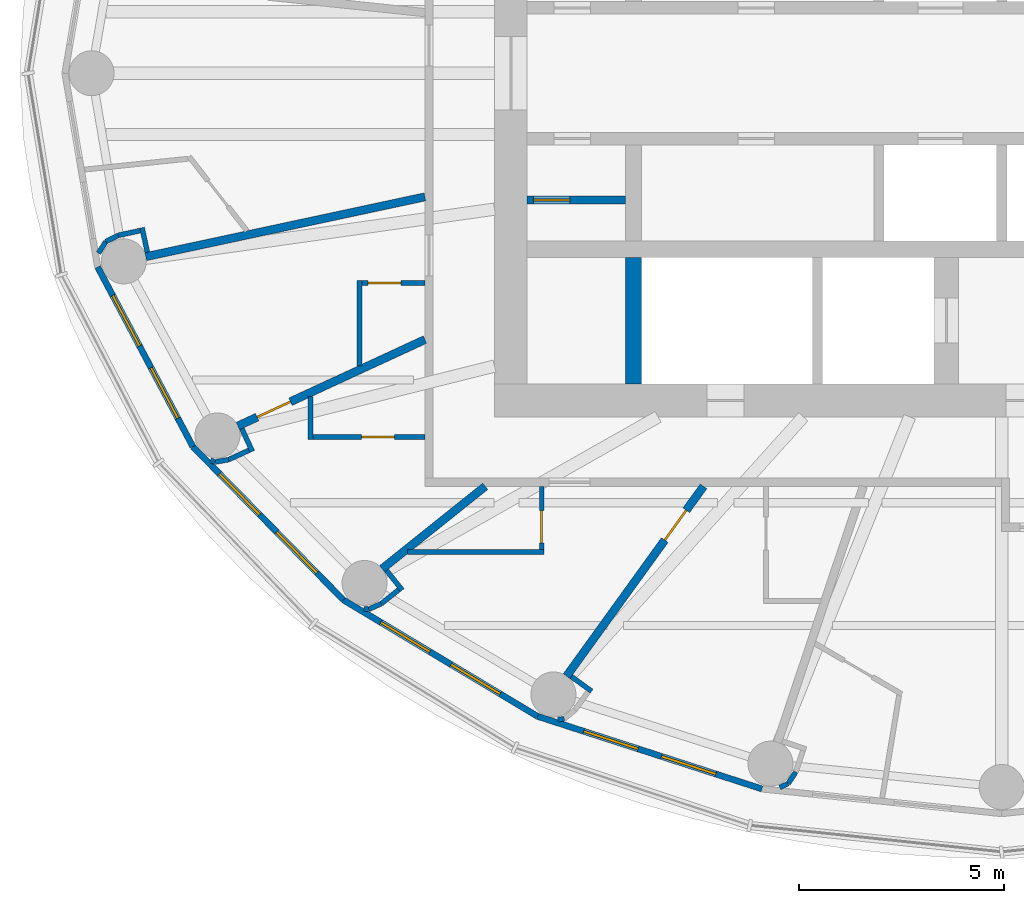
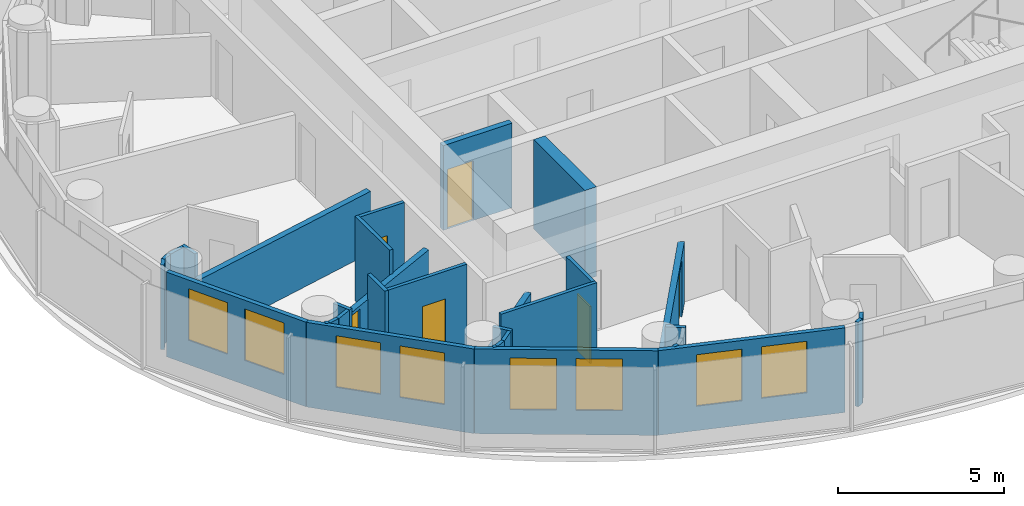
# One storey, part 6 of 14: 32 walls, 8 windows, 6 doors, 14 openings.
"""IFC4 building model written with IfcOpenShell, lengths in metres."""

from ifc_helpers import new_model, si_unit, direction, frame, frame_2d, origin, place, context, subcontext, project, spatial, rectangle, extrude, material, layer, layer_set, type_object, element, fill, save


model = new_model("IFC4")

# Units and contexts
model_context = context("Model", 3, precision=1e-05, world=origin(), true_north=direction((0.0, 1.0)))
body_context = subcontext(model_context, "Body", "Model", "MODEL_VIEW")
ifc_project = project(units=[si_unit("LENGTHUNIT", "METRE"), si_unit("AREAUNIT", "SQUARE_METRE"), si_unit("VOLUMEUNIT", "CUBIC_METRE"), si_unit("PLANEANGLEUNIT", "RADIAN"), si_unit("MASSUNIT", "GRAM", prefix="KILO")], contexts=[model_context])

# Site, building, storey
site_placement = place(None, origin())
site = spatial("IfcSite", under=ifc_project, at=site_placement, CompositionType="ELEMENT")
building_placement = place(site_placement, origin())
building = spatial("IfcBuilding", under=site, at=building_placement, Name="Hankou Lantern Tower", CompositionType="ELEMENT")
storey_placement = place(building_placement, frame((0.0, 0.0, 179.699951171875)))
storey = spatial("IfcBuildingStorey", under=building, at=storey_placement, Name="L48", CompositionType="ELEMENT", Elevation=179.699951171875)

# Wall
ifc_material_1 = material(Name="Concrete C60", Category="concrete")
ifc_layer_1 = layer(ifc_material_1, 0.39990234375)
ifc_layer_set_1 = layer_set([ifc_layer_1], Name="Concrete C60")
wall_type_1 = type_object("IfcWallType", Name="CW4 CORE CROSS WALL 400", PredefinedType="SHEAR", material=ifc_layer_set_1)
wall_1_placement = place(storey_placement, frame((-9.0, -7.60009765625, 0.0), z_axis=(0.0, 0.0, 1.0), x_axis=(0.0, 1.0, 0.0)))
element("IfcWall", 1, at=wall_1_placement, inside=storey, type_object=wall_type_1, Name="Core strip wall L48", PredefinedType="SHEAR", context=body_context, shape_type="SweptSolid", body=[
    extrude(rectangle(XDim=3.10009765625, YDim=0.39990234375, at=frame_2d((1.550048828125, 0.0))), origin(), (0.0, 0.0, 1.0), 3.300048828125),
])

# Wall, openings, windows
ifc_material_2 = material(Name="Aluminium spandrel panel on steel studs", Category="steel")
ifc_layer_2 = layer(ifc_material_2, 0.14990234375)
ifc_layer_set_2 = layer_set([ifc_layer_2], Name="Aluminium spandrel panel on steel studs")
wall_type_2 = type_object("IfcWallType", Name="EW1 INNER SKIN WALL 150", PredefinedType="ELEMENTEDWALL", material=ifc_layer_set_2)
wall_2_placement = place(storey_placement, frame((-22.1015625, -4.73779296875, 0.0), z_axis=(0.0, 0.0, 1.0), x_axis=(0.468428906714, -0.883501193748, 0.0)))
wall_2 = element("IfcWall", 2, at=wall_2_placement, inside=storey, type_object=wall_type_2, Name="Inner skin R14-R15 L48", PredefinedType="ELEMENTEDWALL", context=body_context, shape_type="SweptSolid", body=[
    extrude(rectangle(XDim=4.9736328125, YDim=0.14990234375, at=frame_2d((2.48681640625, 0.0))), origin(), (0.0, 0.0, 1.0), 3.1201171875),
])
opening_1_placement = place(wall_2_placement, frame((0.786865234375, 0.0, 0.89990234375)))
opening_1 = element("IfcOpeningElement", 3, at=opening_1_placement, cuts=wall_2, Name="Opening W3", PredefinedType="OPENING", context=body_context, shape_type="SweptSolid", body=[
    extrude(rectangle(XDim=1.39990234375, YDim=1.89990234375, at=frame_2d((0.699951171875, 0.949951171875))), frame((0.0, 0.0849609375, 0.0), z_axis=(0.0, -1.0, 0.0), x_axis=(1.0, 0.0, 0.0)), (0.0, 0.0, 1.0), 0.169921875),
])
opening_2_placement = place(wall_2_placement, frame((2.786865234375, 0.0, 0.89990234375)))
opening_2 = element("IfcOpeningElement", 4, at=opening_2_placement, cuts=wall_2, Name="Opening W3", PredefinedType="OPENING", context=body_context, shape_type="SweptSolid", body=[
    extrude(rectangle(XDim=1.39990234375, YDim=1.89990234375, at=frame_2d((0.699951171875, 0.949951171875))), frame((0.0, 0.0849609375, 0.0), z_axis=(0.0, -1.0, 0.0), x_axis=(1.0, 0.0, 0.0)), (0.0, 0.0, 1.0), 0.169921875),
])
ifc_material_3 = material(Name="Aluminium framed double glazed window", Category="aluminium")
window_type = type_object("IfcWindowType", Name="W3 GUEST ROOM WINDOW 1400X1900", PartitioningType="DOUBLE_PANEL_VERTICAL", PredefinedType="WINDOW", material=ifc_material_3)
window_1_placement = place(opening_1_placement, origin())
window_1 = element("IfcWindow", 5, at=window_1_placement, inside=storey, type_object=window_type, Name="Window R14.1 L48", OverallHeight=1.89990234375, OverallWidth=1.39990234375, PartitioningType="SINGLE_PANEL", PredefinedType="WINDOW", context=body_context, shape_type="SweptSolid", body=[
    extrude(rectangle(XDim=1.39990234375, YDim=1.89990234375, at=frame_2d((0.699951171875, 0.949951171875))), frame((0.0, 0.030029296875, 0.0), z_axis=(0.0, -1.0, 0.0), x_axis=(1.0, 0.0, 0.0)), (0.0, 0.0, 1.0), 0.06005859375),
])
fill(opening_1, window_1)
window_2_placement = place(opening_2_placement, origin())
window_2 = element("IfcWindow", 6, at=window_2_placement, inside=storey, type_object=window_type, Name="Window R14.2 L48", OverallHeight=1.89990234375, OverallWidth=1.39990234375, PartitioningType="SINGLE_PANEL", PredefinedType="WINDOW", context=body_context, shape_type="SweptSolid", body=[
    extrude(rectangle(XDim=1.39990234375, YDim=1.89990234375, at=frame_2d((0.699951171875, 0.949951171875))), frame((0.0, 0.030029296875, 0.0), z_axis=(0.0, -1.0, 0.0), x_axis=(1.0, 0.0, 0.0)), (0.0, 0.0, 1.0), 0.06005859375),
])
fill(opening_2, window_2)

wall_3_placement = place(storey_placement, frame((-19.771728515625, -9.132080078125, 0.0), z_axis=(0.0, 0.0, 1.0), x_axis=(0.700727467776, -0.71342905457, 0.0)))
wall_3 = element("IfcWall", 7, at=wall_3_placement, inside=storey, type_object=wall_type_2, Name="Inner skin R15-R16 L48", PredefinedType="ELEMENTEDWALL", context=body_context, shape_type="SweptSolid", body=[
    extrude(rectangle(XDim=5.247314453125, YDim=0.14990234375, at=frame_2d((2.62353515625, 0.0))), origin(), (0.0, 0.0, 1.0), 3.1201171875),
])
opening_3_placement = place(wall_3_placement, frame((0.923583984375, 0.0, 0.89990234375)))
opening_3 = element("IfcOpeningElement", 8, at=opening_3_placement, cuts=wall_3, Name="Opening W3", PredefinedType="OPENING", context=body_context, shape_type="SweptSolid", body=[
    extrude(rectangle(XDim=1.39990234375, YDim=1.89990234375, at=frame_2d((0.699951171875, 0.949951171875))), frame((0.0, 0.0849609375, 0.0), z_axis=(0.0, -1.0, 0.0), x_axis=(1.0, 0.0, 0.0)), (0.0, 0.0, 1.0), 0.169921875),
])
opening_4_placement = place(wall_3_placement, frame((2.923583984375, 0.0, 0.89990234375)))
opening_4 = element("IfcOpeningElement", 9, at=opening_4_placement, cuts=wall_3, Name="Opening W3", PredefinedType="OPENING", context=body_context, shape_type="SweptSolid", body=[
    extrude(rectangle(XDim=1.39990234375, YDim=1.89990234375, at=frame_2d((0.699951171875, 0.949951171875))), frame((0.0, 0.0849609375, 0.0), z_axis=(0.0, -1.0, 0.0), x_axis=(1.0, 0.0, 0.0)), (0.0, 0.0, 1.0), 0.169921875),
])
window_3_placement = place(opening_3_placement, origin())
window_3 = element("IfcWindow", 10, at=window_3_placement, inside=storey, type_object=window_type, Name="Window R15.1 L48", OverallHeight=1.89990234375, OverallWidth=1.39990234375, PartitioningType="SINGLE_PANEL", PredefinedType="WINDOW", context=body_context, shape_type="SweptSolid", body=[
    extrude(rectangle(XDim=1.39990234375, YDim=1.89990234375, at=frame_2d((0.699951171875, 0.949951171875))), frame((0.0, 0.030029296875, 0.0), z_axis=(0.0, -1.0, 0.0), x_axis=(1.0, 0.0, 0.0)), (0.0, 0.0, 1.0), 0.06005859375),
])
fill(opening_3, window_3)
window_4_placement = place(opening_4_placement, origin())
window_4 = element("IfcWindow", 11, at=window_4_placement, inside=storey, type_object=window_type, Name="Window R15.2 L48", OverallHeight=1.89990234375, OverallWidth=1.39990234375, PartitioningType="SINGLE_PANEL", PredefinedType="WINDOW", context=body_context, shape_type="SweptSolid", body=[
    extrude(rectangle(XDim=1.39990234375, YDim=1.89990234375, at=frame_2d((0.699951171875, 0.949951171875))), frame((0.0, 0.030029296875, 0.0), z_axis=(0.0, -1.0, 0.0), x_axis=(1.0, 0.0, 0.0)), (0.0, 0.0, 1.0), 0.06005859375),
])
fill(opening_4, window_4)

wall_4_placement = place(storey_placement, frame((-16.0947265625, -12.875732421875, 0.0), z_axis=(0.0, 0.0, 1.0), x_axis=(0.857695199231, -0.514158482587, 0.0)))
wall_4 = element("IfcWall", 12, at=wall_4_placement, inside=storey, type_object=wall_type_2, Name="Inner skin R16-R17 L48", PredefinedType="ELEMENTEDWALL", context=body_context, shape_type="SweptSolid", body=[
    extrude(rectangle(XDim=5.5361328125, YDim=0.14990234375, at=frame_2d((2.76806640625, 0.0))), origin(), (0.0, 0.0, 1.0), 3.1201171875),
])
opening_5_placement = place(wall_4_placement, frame((1.068115234375, 0.0, 0.89990234375)))
opening_5 = element("IfcOpeningElement", 13, at=opening_5_placement, cuts=wall_4, Name="Opening W3", PredefinedType="OPENING", context=body_context, shape_type="SweptSolid", body=[
    extrude(rectangle(XDim=1.39990234375, YDim=1.89990234375, at=frame_2d((0.699951171875, 0.949951171875))), frame((0.0, 0.0849609375, 0.0), z_axis=(0.0, -1.0, 0.0), x_axis=(1.0, 0.0, 0.0)), (0.0, 0.0, 1.0), 0.169921875),
])
opening_6_placement = place(wall_4_placement, frame((3.068115234375, 0.0, 0.89990234375)))
opening_6 = element("IfcOpeningElement", 14, at=opening_6_placement, cuts=wall_4, Name="Opening W3", PredefinedType="OPENING", context=body_context, shape_type="SweptSolid", body=[
    extrude(rectangle(XDim=1.39990234375, YDim=1.89990234375, at=frame_2d((0.699951171875, 0.949951171875))), frame((0.0, 0.0849609375, 0.0), z_axis=(0.0, -1.0, 0.0), x_axis=(1.0, 0.0, 0.0)), (0.0, 0.0, 1.0), 0.169921875),
])
window_5_placement = place(opening_5_placement, origin())
window_5 = element("IfcWindow", 15, at=window_5_placement, inside=storey, type_object=window_type, Name="Window R16.1 L48", OverallHeight=1.89990234375, OverallWidth=1.39990234375, PartitioningType="SINGLE_PANEL", PredefinedType="WINDOW", context=body_context, shape_type="SweptSolid", body=[
    extrude(rectangle(XDim=1.39990234375, YDim=1.89990234375, at=frame_2d((0.699951171875, 0.949951171875))), frame((0.0, 0.030029296875, 0.0), z_axis=(0.0, -1.0, 0.0), x_axis=(1.0, 0.0, 0.0)), (0.0, 0.0, 1.0), 0.06005859375),
])
fill(opening_5, window_5)
window_6_placement = place(opening_6_placement, origin())
window_6 = element("IfcWindow", 16, at=window_6_placement, inside=storey, type_object=window_type, Name="Window R16.2 L48", OverallHeight=1.89990234375, OverallWidth=1.39990234375, PartitioningType="SINGLE_PANEL", PredefinedType="WINDOW", context=body_context, shape_type="SweptSolid", body=[
    extrude(rectangle(XDim=1.39990234375, YDim=1.89990234375, at=frame_2d((0.699951171875, 0.949951171875))), frame((0.0, 0.030029296875, 0.0), z_axis=(0.0, -1.0, 0.0), x_axis=(1.0, 0.0, 0.0)), (0.0, 0.0, 1.0), 0.06005859375),
])
fill(opening_6, window_6)

wall_5_placement = place(storey_placement, frame((-11.346435546875, -15.72216796875, 0.0), z_axis=(0.0, 0.0, 1.0), x_axis=(0.951432482129, -0.307857486429, 0.0)))
wall_5 = element("IfcWall", 17, at=wall_5_placement, inside=storey, type_object=wall_type_2, Name="Inner skin R17-R18 L48", PredefinedType="ELEMENTEDWALL", context=body_context, shape_type="SweptSolid", body=[
    extrude(rectangle(XDim=5.76611328125, YDim=0.14990234375, at=frame_2d((2.883056640625, 0.0))), origin(), (0.0, 0.0, 1.0), 3.1201171875),
])
opening_7_placement = place(wall_5_placement, frame((1.18310546875, 0.0, 0.89990234375)))
opening_7 = element("IfcOpeningElement", 18, at=opening_7_placement, cuts=wall_5, Name="Opening W3", PredefinedType="OPENING", context=body_context, shape_type="SweptSolid", body=[
    extrude(rectangle(XDim=1.39990234375, YDim=1.89990234375, at=frame_2d((0.699951171875, 0.949951171875))), frame((0.0, 0.0849609375, 0.0), z_axis=(0.0, -1.0, 0.0), x_axis=(1.0, 0.0, 0.0)), (0.0, 0.0, 1.0), 0.169921875),
])
opening_8_placement = place(wall_5_placement, frame((3.18310546875, 0.0, 0.89990234375)))
opening_8 = element("IfcOpeningElement", 19, at=opening_8_placement, cuts=wall_5, Name="Opening W3", PredefinedType="OPENING", context=body_context, shape_type="SweptSolid", body=[
    extrude(rectangle(XDim=1.39990234375, YDim=1.89990234375, at=frame_2d((0.699951171875, 0.949951171875))), frame((0.0, 0.0849609375, 0.0), z_axis=(0.0, -1.0, 0.0), x_axis=(1.0, 0.0, 0.0)), (0.0, 0.0, 1.0), 0.169921875),
])
window_7_placement = place(opening_7_placement, origin())
window_7 = element("IfcWindow", 20, at=window_7_placement, inside=storey, type_object=window_type, Name="Window R17.1 L48", OverallHeight=1.89990234375, OverallWidth=1.39990234375, PartitioningType="SINGLE_PANEL", PredefinedType="WINDOW", context=body_context, shape_type="SweptSolid", body=[
    extrude(rectangle(XDim=1.39990234375, YDim=1.89990234375, at=frame_2d((0.699951171875, 0.949951171875))), frame((0.0, 0.030029296875, 0.0), z_axis=(0.0, -1.0, 0.0), x_axis=(1.0, 0.0, 0.0)), (0.0, 0.0, 1.0), 0.06005859375),
])
fill(opening_7, window_7)
window_8_placement = place(opening_8_placement, origin())
window_8 = element("IfcWindow", 21, at=window_8_placement, inside=storey, type_object=window_type, Name="Window R17.2 L48", OverallHeight=1.89990234375, OverallWidth=1.39990234375, PartitioningType="SINGLE_PANEL", PredefinedType="WINDOW", context=body_context, shape_type="SweptSolid", body=[
    extrude(rectangle(XDim=1.39990234375, YDim=1.89990234375, at=frame_2d((0.699951171875, 0.949951171875))), frame((0.0, 0.030029296875, 0.0), z_axis=(0.0, -1.0, 0.0), x_axis=(1.0, 0.0, 0.0)), (0.0, 0.0, 1.0), 0.06005859375),
])
fill(opening_8, window_8)

# Walls
ifc_material_4 = material(Name="Masonry lightweight concrete block", Category="masonry")
ifc_layer_3 = layer(ifc_material_4, 0.199951171875)
ifc_layer_set_3 = layer_set([ifc_layer_3], Name="Masonry lightweight concrete block")
wall_type_3 = type_object("IfcWallType", Name="IW1 GUEST ROOM PARTY WALL 200", PredefinedType="PARTITIONING", material=ifc_layer_set_3)
wall_6_placement = place(storey_placement, frame((-14.10009765625, -3.0224609375, 0.0), z_axis=(0.0, 0.0, 1.0), x_axis=(-0.977790639684, -0.209584028367, 0.0)))
element("IfcWall", 22, at=wall_6_placement, inside=storey, type_object=wall_type_3, Name="Party wall R14", PredefinedType="PARTITIONING", context=body_context, shape_type="SweptSolid", body=[
    extrude(rectangle(XDim=6.97998046875, YDim=0.199951171875, at=frame_2d((3.489990234375, 0.0))), origin(), (0.0, 0.0, 1.0), 2.27001953125),
])
wall_7_placement = place(storey_placement, frame((-12.625, -10.10009765625, 0.0), z_axis=(0.0, 0.0, 1.0), x_axis=(-0.780876185034, -0.624685827954, 0.0)))
element("IfcWall", 23, at=wall_7_placement, inside=storey, type_object=wall_type_3, Name="Party wall R16", PredefinedType="PARTITIONING", context=body_context, shape_type="SweptSolid", body=[
    extrude(rectangle(XDim=3.229248046875, YDim=0.199951171875, at=frame_2d((1.61474609375, 0.0))), origin(), (0.0, 0.0, 1.0), 2.27001953125),
])
ifc_material_5 = material(Name="Masonry lightweight concrete block", Category="masonry")
ifc_layer_4 = layer(ifc_material_5, 0.1201171875)
ifc_layer_set_4 = layer_set([ifc_layer_4], Name="Masonry lightweight concrete block")
wall_type_4 = type_object("IfcWallType", Name="IW3 BATHROOM WALL 120", PredefinedType="PARTITIONING", material=ifc_layer_set_4)
wall_8_placement = place(storey_placement, frame((-15.699951171875, -7.151611328125, 0.0), z_axis=(0.0, 0.0, 1.0), x_axis=(0.0, 1.0, 0.0)))
element("IfcWall", 24, at=wall_8_placement, inside=storey, type_object=wall_type_4, Name="Box wall 4801C 1", PredefinedType="PARTITIONING", context=body_context, shape_type="SweptSolid", body=[
    extrude(rectangle(XDim=2.0791015625, YDim=0.1201171875, at=frame_2d((1.03955078125, 0.0))), origin(), (0.0, 0.0, 1.0), 3.1201171875),
])

# Wall, opening, door
wall_9_placement = place(storey_placement, frame((-14.10009765625, -5.132568359375, 0.0), z_axis=(0.0, 0.0, 1.0), x_axis=(-1.0, 0.0, 0.0)))
wall_9 = element("IfcWall", 25, at=wall_9_placement, inside=storey, type_object=wall_type_4, Name="Box wall 4801C 1", PredefinedType="PARTITIONING", context=body_context, shape_type="SweptSolid", body=[
    extrude(rectangle(XDim=1.539794921875, YDim=0.1201171875, at=frame_2d((0.77001953125, 0.0))), origin(), (0.0, 0.0, 1.0), 3.1201171875),
])
opening_9_placement = place(wall_9_placement, frame((0.590087890625, 0.0, 0.0)))
opening_9 = element("IfcOpeningElement", 26, at=opening_9_placement, cuts=wall_9, Name="Opening D3", PredefinedType="OPENING", context=body_context, shape_type="SweptSolid", body=[
    extrude(rectangle(XDim=0.800048828125, YDim=2.10009765625, at=frame_2d((0.39990234375, 1.050048828125))), frame((0.0, 0.070068359375, 0.0), z_axis=(0.0, -1.0, 0.0), x_axis=(1.0, 0.0, 0.0)), (0.0, 0.0, 1.0), 0.14013671875),
])
ifc_material_6 = material(Name="Timber door leaf", Category="wood")
door_type_1 = type_object("IfcDoorType", Name="D3 BATHROOM DOOR 800X2100", OperationType="SINGLE_SWING_LEFT", PredefinedType="DOOR", material=ifc_material_6)
door_1_placement = place(opening_9_placement, origin())
door_1 = element("IfcDoor", 27, at=door_1_placement, inside=storey, type_object=door_type_1, Name="Suite 4801 guest WC door", OperationType="SINGLE_SWING_RIGHT", OverallHeight=2.10009765625, OverallWidth=0.800048828125, PredefinedType="DOOR", context=body_context, shape_type="SweptSolid", body=[
    extrude(rectangle(XDim=0.800048828125, YDim=2.10009765625, at=frame_2d((0.39990234375, 1.050048828125))), frame((0.0, 0.02490234375, 0.0), z_axis=(0.0, -1.0, 0.0), x_axis=(1.0, 0.0, 0.0)), (0.0, 0.0, 1.0), 0.050048828125),
])
fill(opening_9, door_1)

# Wall
wall_10_placement = place(storey_placement, frame((-16.89990234375, -7.90576171875, 0.0), z_axis=(0.0, 0.0, 1.0), x_axis=(0.0, -1.0, 0.0)))
element("IfcWall", 28, at=wall_10_placement, inside=storey, type_object=wall_type_4, Name="Box wall 4801A 1", PredefinedType="PARTITIONING", context=body_context, shape_type="SweptSolid", body=[
    extrude(rectangle(XDim=1.046630859375, YDim=0.1201171875, at=frame_2d((0.5234375, 0.0))), origin(), (0.0, 0.0, 1.0), 3.1201171875),
])

# Wall, opening, door
wall_11_placement = place(storey_placement, frame((-14.10009765625, -8.892578125, 0.0), z_axis=(0.0, 0.0, 1.0), x_axis=(-1.0, 0.0, 0.0)))
wall_11 = element("IfcWall", 29, at=wall_11_placement, inside=storey, type_object=wall_type_4, Name="Box wall 4801A 1", PredefinedType="PARTITIONING", context=body_context, shape_type="SweptSolid", body=[
    extrude(rectangle(XDim=2.739990234375, YDim=0.1201171875, at=frame_2d((1.3701171875, 0.0))), origin(), (0.0, 0.0, 1.0), 3.1201171875),
])
opening_10_placement = place(wall_11_placement, frame((0.75, 0.0, 0.0)))
opening_10 = element("IfcOpeningElement", 30, at=opening_10_placement, cuts=wall_11, Name="Opening D3", PredefinedType="OPENING", context=body_context, shape_type="SweptSolid", body=[
    extrude(rectangle(XDim=0.800048828125, YDim=2.10009765625, at=frame_2d((0.39990234375, 1.050048828125))), frame((0.0, 0.070068359375, 0.0), z_axis=(0.0, -1.0, 0.0), x_axis=(1.0, 0.0, 0.0)), (0.0, 0.0, 1.0), 0.14013671875),
])
door_2_placement = place(opening_10_placement, origin())
door_2 = element("IfcDoor", 31, at=door_2_placement, inside=storey, type_object=door_type_1, Name="Suite 4801 bathroom door", OperationType="SINGLE_SWING_LEFT", OverallHeight=2.10009765625, OverallWidth=0.800048828125, PredefinedType="DOOR", context=body_context, shape_type="SweptSolid", body=[
    extrude(rectangle(XDim=0.800048828125, YDim=2.10009765625, at=frame_2d((0.39990234375, 1.050048828125))), frame((0.0, 0.02490234375, 0.0), z_axis=(0.0, -1.0, 0.0), x_axis=(1.0, 0.0, 0.0)), (0.0, 0.0, 1.0), 0.050048828125),
])
fill(opening_10, door_2)

# Wall
wall_12_placement = place(storey_placement, frame((-14.52490234375, -11.699951171875, 0.0), z_axis=(0.0, 0.0, 1.0), x_axis=(1.0, 0.0, 0.0)))
element("IfcWall", 32, at=wall_12_placement, inside=storey, type_object=wall_type_4, Name="Box wall 4802C 1", PredefinedType="PARTITIONING", context=body_context, shape_type="SweptSolid", body=[
    extrude(rectangle(XDim=3.33984375, YDim=0.1201171875, at=frame_2d((1.669921875, 0.0))), origin(), (0.0, 0.0, 1.0), 3.1201171875),
])

# Wall, opening, door
wall_13_placement = place(storey_placement, frame((-11.2451171875, -10.10009765625, 0.0), z_axis=(0.0, 0.0, 1.0), x_axis=(0.0, -1.0, 0.0)))
wall_13 = element("IfcWall", 33, at=wall_13_placement, inside=storey, type_object=wall_type_4, Name="Box wall 4802C 1", PredefinedType="PARTITIONING", context=body_context, shape_type="SweptSolid", body=[
    extrude(rectangle(XDim=1.539794921875, YDim=0.1201171875, at=frame_2d((0.77001953125, 0.0))), origin(), (0.0, 0.0, 1.0), 3.1201171875),
])
opening_11_placement = place(wall_13_placement, frame((0.590087890625, 0.0, 0.0)))
opening_11 = element("IfcOpeningElement", 34, at=opening_11_placement, cuts=wall_13, Name="Opening D3", PredefinedType="OPENING", context=body_context, shape_type="SweptSolid", body=[
    extrude(rectangle(XDim=0.800048828125, YDim=2.10009765625, at=frame_2d((0.39990234375, 1.050048828125))), frame((0.0, 0.070068359375, 0.0), z_axis=(0.0, -1.0, 0.0), x_axis=(1.0, 0.0, 0.0)), (0.0, 0.0, 1.0), 0.14013671875),
])
door_3_placement = place(opening_11_placement, origin())
door_3 = element("IfcDoor", 35, at=door_3_placement, inside=storey, type_object=door_type_1, Name="Suite 4802 guest WC door", OperationType="SINGLE_SWING_LEFT", OverallHeight=2.10009765625, OverallWidth=0.800048828125, PredefinedType="DOOR", context=body_context, shape_type="SweptSolid", body=[
    extrude(rectangle(XDim=0.800048828125, YDim=2.10009765625, at=frame_2d((0.39990234375, 1.050048828125))), frame((0.0, 0.02490234375, 0.0), z_axis=(0.0, -1.0, 0.0), x_axis=(1.0, 0.0, 0.0)), (0.0, 0.0, 1.0), 0.050048828125),
])
fill(opening_11, door_3)

# Walls
wall_14_placement = place(storey_placement, frame((-5.034423828125, -17.08447265625, 0.0), z_axis=(0.0, 0.0, 1.0), x_axis=(-0.552362205726, -0.833604218851, 0.0)))
element("IfcWall", 36, at=wall_14_placement, inside=storey, type_object=wall_type_4, Name="Column casing 4803", PredefinedType="PARTITIONING", context=body_context, shape_type="SweptSolid", body=[
    extrude(rectangle(XDim=0.337646484375, YDim=0.1201171875, at=frame_2d((0.1689453125, 0.0))), origin(), (0.0, 0.0, 1.0), 3.1201171875),
])
wall_15_placement = place(storey_placement, frame((-5.220947265625, -17.365966796875, 0.0), z_axis=(0.0, 0.0, 1.0), x_axis=(-0.895067896179, -0.445929883759, 0.0)))
element("IfcWall", 37, at=wall_15_placement, inside=storey, type_object=wall_type_4, Name="Column casing 4803", PredefinedType="PARTITIONING", context=body_context, shape_type="SweptSolid", body=[
    extrude(rectangle(XDim=0.228271484375, YDim=0.1201171875, at=frame_2d((0.1142578125, 0.0))), origin(), (0.0, 0.0, 1.0), 3.1201171875),
])
wall_16_placement = place(storey_placement, frame((-20.88720703125, -4.375, 0.0), z_axis=(0.0, 0.0, 1.0), x_axis=(-0.209746941802, 0.977755705892, 0.0)))
element("IfcWall", 38, at=wall_16_placement, inside=storey, type_object=wall_type_4, Name="Column casing 4814 return", PredefinedType="PARTITIONING", context=body_context, shape_type="SweptSolid", body=[
    extrude(rectangle(XDim=0.6123046875, YDim=0.1201171875, at=frame_2d((0.30615234375, 0.0))), origin(), (0.0, 0.0, 1.0), 3.1201171875),
])
wall_17_placement = place(storey_placement, frame((-21.061767578125, -3.84765625, 0.0), z_axis=(0.0, 0.0, 1.0), x_axis=(-0.977789415726, -0.209589738521, 0.0)))
element("IfcWall", 39, at=wall_17_placement, inside=storey, type_object=wall_type_4, Name="Column casing 4814", PredefinedType="PARTITIONING", context=body_context, shape_type="SweptSolid", body=[
    extrude(rectangle(XDim=0.5498046875, YDim=0.1201171875, at=frame_2d((0.27490234375, 0.0))), origin(), (0.0, 0.0, 1.0), 3.1201171875),
])
wall_18_placement = place(storey_placement, frame((-21.599365234375, -3.962890625, 0.0), z_axis=(0.0, 0.0, 1.0), x_axis=(-0.890193602875, -0.455582428766, 0.0)))
element("IfcWall", 40, at=wall_18_placement, inside=storey, type_object=wall_type_4, Name="Column casing 4814", PredefinedType="PARTITIONING", context=body_context, shape_type="SweptSolid", body=[
    extrude(rectangle(XDim=0.337646484375, YDim=0.1201171875, at=frame_2d((0.1689453125, 0.0))), origin(), (0.0, 0.0, 1.0), 3.1201171875),
])
wall_19_placement = place(storey_placement, frame((-21.89990234375, -4.11669921875, 0.0), z_axis=(0.0, 0.0, 1.0), x_axis=(-0.543582688681, -0.839355622228, 0.0)))
element("IfcWall", 41, at=wall_19_placement, inside=storey, type_object=wall_type_4, Name="Column casing 4814", PredefinedType="PARTITIONING", context=body_context, shape_type="SweptSolid", body=[
    extrude(rectangle(XDim=0.3359375, YDim=0.1201171875, at=frame_2d((0.16796875, 0.0))), origin(), (0.0, 0.0, 1.0), 3.1201171875),
])
ifc_material_7 = material(Name="Masonry lightweight concrete block", Category="masonry")
ifc_layer_5 = layer(ifc_material_7, 0.1201171875)
ifc_layer_set_5 = layer_set([ifc_layer_5], Name="Masonry lightweight concrete block")
wall_type_5 = type_object("IfcWallType", Name="IW4 PARTITION 120", PredefinedType="PARTITIONING", material=ifc_layer_set_5)
wall_20_placement = place(storey_placement, frame((-18.576416015625, -8.690185546875, 0.0), z_axis=(0.0, 0.0, 1.0), x_axis=(0.419083463716, -0.907947713494, 0.0)))
element("IfcWall", 42, at=wall_20_placement, inside=storey, type_object=wall_type_5, Name="Column casing R15 return", PredefinedType="PARTITIONING", context=body_context, shape_type="SweptSolid", body=[
    extrude(rectangle(XDim=0.6123046875, YDim=0.1201171875, at=frame_2d((0.30615234375, 0.0))), origin(), (0.0, 0.0, 1.0), 3.1201171875),
])
wall_21_placement = place(storey_placement, frame((-18.3994140625, -9.216796875, 0.0), z_axis=(0.0, 0.0, 1.0), x_axis=(-0.907933393845, -0.419114485961, 0.0)))
element("IfcWall", 43, at=wall_21_placement, inside=storey, type_object=wall_type_5, Name="Column casing R15", PredefinedType="PARTITIONING", context=body_context, shape_type="SweptSolid", body=[
    extrude(rectangle(XDim=0.5498046875, YDim=0.1201171875, at=frame_2d((0.27490234375, 0.0))), origin(), (0.0, 0.0, 1.0), 3.1201171875),
])
wall_22_placement = place(storey_placement, frame((-18.898681640625, -9.447265625, 0.0), z_axis=(0.0, 0.0, 1.0), x_axis=(-0.985338822624, -0.170608923066, 0.0)))
element("IfcWall", 44, at=wall_22_placement, inside=storey, type_object=wall_type_5, Name="Column casing R15", PredefinedType="PARTITIONING", context=body_context, shape_type="SweptSolid", body=[
    extrude(rectangle(XDim=0.337646484375, YDim=0.1201171875, at=frame_2d((0.1689453125, 0.0))), origin(), (0.0, 0.0, 1.0), 3.1201171875),
])
wall_23_placement = place(storey_placement, frame((-19.2314453125, -9.5048828125, 0.0), z_axis=(0.0, 0.0, 1.0), x_axis=(-0.938377418573, 0.345612239817, 0.0)))
element("IfcWall", 45, at=wall_23_placement, inside=storey, type_object=wall_type_5, Name="Column casing R15", PredefinedType="PARTITIONING", context=body_context, shape_type="SweptSolid", body=[
    extrude(rectangle(XDim=0.12158203125, YDim=0.1201171875, at=frame_2d((0.060791015625, 0.0))), origin(), (0.0, 0.0, 1.0), 3.1201171875),
])
wall_24_placement = place(storey_placement, frame((-15.037353515625, -12.157958984375, 0.0), z_axis=(0.0, 0.0, 1.0), x_axis=(0.624840920722, -0.78075208856, 0.0)))
element("IfcWall", 46, at=wall_24_placement, inside=storey, type_object=wall_type_5, Name="Column casing R16 return", PredefinedType="PARTITIONING", context=body_context, shape_type="SweptSolid", body=[
    extrude(rectangle(XDim=0.6123046875, YDim=0.1201171875, at=frame_2d((0.30615234375, 0.0))), origin(), (0.0, 0.0, 1.0), 3.1201171875),
])
wall_25_placement = place(storey_placement, frame((-14.7392578125, -12.626708984375, 0.0), z_axis=(0.0, 0.0, 1.0), x_axis=(-0.780912119987, -0.624640905527, 0.0)))
element("IfcWall", 47, at=wall_25_placement, inside=storey, type_object=wall_type_5, Name="Column casing R16", PredefinedType="PARTITIONING", context=body_context, shape_type="SweptSolid", body=[
    extrude(rectangle(XDim=0.5498046875, YDim=0.1201171875, at=frame_2d((0.27490234375, 0.0))), origin(), (0.0, 0.0, 1.0), 3.1201171875),
])
wall_26_placement = place(storey_placement, frame((-15.168701171875, -12.97021484375, 0.0), z_axis=(0.0, 0.0, 1.0), x_axis=(-0.915974725257, -0.401235968838, 0.0)))
element("IfcWall", 48, at=wall_26_placement, inside=storey, type_object=wall_type_5, Name="Column casing R16", PredefinedType="PARTITIONING", context=body_context, shape_type="SweptSolid", body=[
    extrude(rectangle(XDim=0.337646484375, YDim=0.1201171875, at=frame_2d((0.1689453125, 0.0))), origin(), (0.0, 0.0, 1.0), 3.1201171875),
])
wall_27_placement = place(storey_placement, frame((-15.47802734375, -13.105712890625, 0.0), z_axis=(0.0, 0.0, 1.0), x_axis=(-0.993778813557, 0.111371763588, 0.0)))
element("IfcWall", 49, at=wall_27_placement, inside=storey, type_object=wall_type_5, Name="Column casing R16", PredefinedType="PARTITIONING", context=body_context, shape_type="SweptSolid", body=[
    extrude(rectangle(XDim=0.114013671875, YDim=0.1201171875, at=frame_2d((0.05712890625, 0.0))), origin(), (0.0, 0.0, 1.0), 3.1201171875),
])
wall_28_placement = place(storey_placement, frame((-10.521728515625, -14.750244140625, 0.0), z_axis=(0.0, 0.0, 1.0), x_axis=(0.811057588427, -0.584966313777, 0.0)))
element("IfcWall", 50, at=wall_28_placement, inside=storey, type_object=wall_type_5, Name="Column casing R17 return", PredefinedType="PARTITIONING", context=body_context, shape_type="SweptSolid", body=[
    extrude(rectangle(XDim=0.6123046875, YDim=0.1201171875, at=frame_2d((0.30615234375, 0.0))), origin(), (0.0, 0.0, 1.0), 3.1201171875),
])
wall_29_placement = place(storey_placement, frame((-10.692626953125, -15.78125, 0.0), z_axis=(0.0, 0.0, 1.0), x_axis=(-0.987256785332, -0.159135287777, 0.0)))
element("IfcWall", 51, at=wall_29_placement, inside=storey, type_object=wall_type_5, Name="Column casing R17", PredefinedType="PARTITIONING", context=body_context, shape_type="SweptSolid", body=[
    extrude(rectangle(XDim=0.157958984375, YDim=0.1201171875, at=frame_2d((0.0791015625, 0.0))), origin(), (0.0, 0.0, 1.0), 3.1201171875),
])

# Wall, opening, door
ifc_material_8 = material(Name="Masonry lightweight concrete block", Category="masonry")
ifc_layer_6 = layer(ifc_material_8, 0.199951171875)
ifc_layer_set_6 = layer_set([ifc_layer_6], Name="Masonry lightweight concrete block")
wall_type_6 = type_object("IfcWallType", Name="IW6 SUITE PARTITION 200", PredefinedType="PARTITIONING", material=ifc_layer_set_6)
wall_30_placement = place(storey_placement, frame((-14.10009765625, -6.512451171875, 0.0), z_axis=(0.0, 0.0, 1.0), x_axis=(-0.907823150669, -0.419353224751, 0.0)))
wall_30 = element("IfcWall", 52, at=wall_30_placement, inside=storey, type_object=wall_type_6, Name="Suite partition R15", PredefinedType="PARTITIONING", context=body_context, shape_type="SweptSolid", body=[
    extrude(rectangle(XDim=5.037109375, YDim=0.199951171875, at=frame_2d((2.5185546875, 0.0))), origin(), (0.0, 0.0, 1.0), 2.219970703125),
])
opening_12_placement = place(wall_30_placement, frame((3.6201171875, 0.0, 0.0)))
opening_12 = element("IfcOpeningElement", 53, at=opening_12_placement, cuts=wall_30, Name="Opening D27", PredefinedType="OPENING", context=body_context, shape_type="SweptSolid", body=[
    extrude(rectangle(XDim=0.89990234375, YDim=2.10009765625, at=frame_2d((0.449951171875, 1.050048828125))), frame((0.0, 0.10986328125, 0.0), z_axis=(0.0, -1.0, 0.0), x_axis=(1.0, 0.0, 0.0)), (0.0, 0.0, 1.0), 0.219970703125),
])
ifc_material_9 = material(Name="Timber door leaf", Category="wood")
door_type_2 = type_object("IfcDoorType", Name="D27 INTERNAL DOOR 900X2100", OperationType="SINGLE_SWING_LEFT", PredefinedType="DOOR", material=ifc_material_9)
door_4_placement = place(opening_12_placement, origin())
door_4 = element("IfcDoor", 54, at=door_4_placement, inside=storey, type_object=door_type_2, Name="Suite 4801 bedroom door", OperationType="SINGLE_SWING_LEFT", OverallHeight=2.10009765625, OverallWidth=0.89990234375, PredefinedType="DOOR", context=body_context, shape_type="SweptSolid", body=[
    extrude(rectangle(XDim=0.89990234375, YDim=2.10009765625, at=frame_2d((0.449951171875, 1.050048828125))), frame((0.0, 0.02490234375, 0.0), z_axis=(0.0, -1.0, 0.0), x_axis=(1.0, 0.0, 0.0)), (0.0, 0.0, 1.0), 0.050048828125),
])
fill(opening_12, door_4)

wall_31_placement = place(storey_placement, frame((-7.2890625, -10.10009765625, 0.0), z_axis=(0.0, 0.0, 1.0), x_axis=(-0.585222595178, -0.810872686735, 0.0)))
wall_31 = element("IfcWall", 55, at=wall_31_placement, inside=storey, type_object=wall_type_6, Name="Suite partition R17", PredefinedType="PARTITIONING", context=body_context, shape_type="SweptSolid", body=[
    extrude(rectangle(XDim=5.722412109375, YDim=0.199951171875, at=frame_2d((2.861328125, 0.0))), origin(), (0.0, 0.0, 1.0), 2.27001953125),
])
opening_13_placement = place(wall_31_placement, frame((0.719970703125, 0.0, 0.0)))
opening_13 = element("IfcOpeningElement", 56, at=opening_13_placement, cuts=wall_31, Name="Opening D27", PredefinedType="OPENING", context=body_context, shape_type="SweptSolid", body=[
    extrude(rectangle(XDim=0.89990234375, YDim=2.10009765625, at=frame_2d((0.449951171875, 1.050048828125))), frame((0.0, 0.10986328125, 0.0), z_axis=(0.0, -1.0, 0.0), x_axis=(1.0, 0.0, 0.0)), (0.0, 0.0, 1.0), 0.219970703125),
])
door_5_placement = place(opening_13_placement, origin())
door_5 = element("IfcDoor", 57, at=door_5_placement, inside=storey, type_object=door_type_2, Name="Suite 4802 bedroom door", OperationType="SINGLE_SWING_LEFT", OverallHeight=2.10009765625, OverallWidth=0.89990234375, PredefinedType="DOOR", context=body_context, shape_type="SweptSolid", body=[
    extrude(rectangle(XDim=0.89990234375, YDim=2.10009765625, at=frame_2d((0.449951171875, 1.050048828125))), frame((0.0, 0.02490234375, 0.0), z_axis=(0.0, -1.0, 0.0), x_axis=(1.0, 0.0, 0.0)), (0.0, 0.0, 1.0), 0.050048828125),
])
fill(opening_13, door_5)

ifc_material_10 = material(Name="Masonry lightweight concrete block", Category="masonry")
ifc_layer_7 = layer(ifc_material_10, 0.199951171875)
ifc_layer_set_7 = layer_set([ifc_layer_7], Name="Masonry lightweight concrete block")
wall_type_7 = type_object("IfcWallType", Name="IW8 PARTITION 200", PredefinedType="PARTITIONING", material=ifc_layer_set_7)
wall_32_placement = place(storey_placement, frame((-11.60009765625, -3.10009765625, 0.0), z_axis=(0.0, 0.0, 1.0), x_axis=(1.0, 0.0, 0.0)))
wall_32 = element("IfcWall", 58, at=wall_32_placement, inside=storey, type_object=wall_type_7, Name="Partition engineering store", PredefinedType="PARTITIONING", context=body_context, shape_type="SweptSolid", body=[
    extrude(rectangle(XDim=2.400146484375, YDim=0.199951171875, at=frame_2d((1.2001953125, 0.0))), origin(), (0.0, 0.0, 1.0), 3.1201171875),
])
opening_14_placement = place(wall_32_placement, frame((0.14990234375, 0.0, 0.0)))
opening_14 = element("IfcOpeningElement", 59, at=opening_14_placement, cuts=wall_32, Name="Opening D12", PredefinedType="OPENING", context=body_context, shape_type="SweptSolid", body=[
    extrude(rectangle(XDim=0.89990234375, YDim=2.199951171875, at=frame_2d((0.449951171875, 1.10009765625))), frame((0.0, 0.10986328125, 0.0), z_axis=(0.0, -1.0, 0.0), x_axis=(1.0, 0.0, 0.0)), (0.0, 0.0, 1.0), 0.219970703125),
])
ifc_material_11 = material(Name="Steel door leaf", Category="steel")
door_type_3 = type_object("IfcDoorType", Name="D12 STORE DOOR 900X2200", OperationType="SINGLE_SWING_LEFT", PredefinedType="DOOR", material=ifc_material_11)
door_6_placement = place(opening_14_placement, origin())
door_6 = element("IfcDoor", 60, at=door_6_placement, inside=storey, type_object=door_type_3, Name="Electrical cupboard door", OperationType="SINGLE_SWING_LEFT", OverallHeight=2.199951171875, OverallWidth=0.89990234375, PredefinedType="DOOR", context=body_context, shape_type="SweptSolid", body=[
    extrude(rectangle(XDim=0.89990234375, YDim=2.199951171875, at=frame_2d((0.449951171875, 1.10009765625))), frame((0.0, 0.02490234375, 0.0), z_axis=(0.0, -1.0, 0.0), x_axis=(1.0, 0.0, 0.0)), (0.0, 0.0, 1.0), 0.050048828125),
])
fill(opening_14, door_6)

save(model, "model.ifc")
